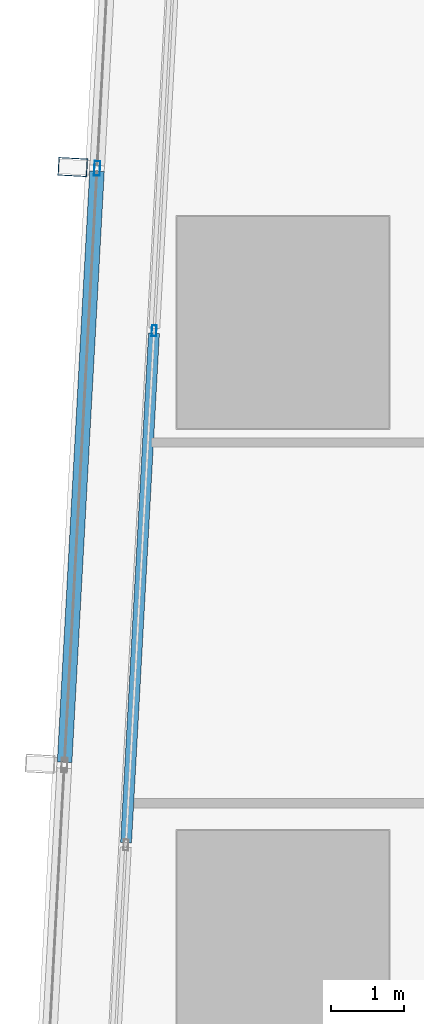
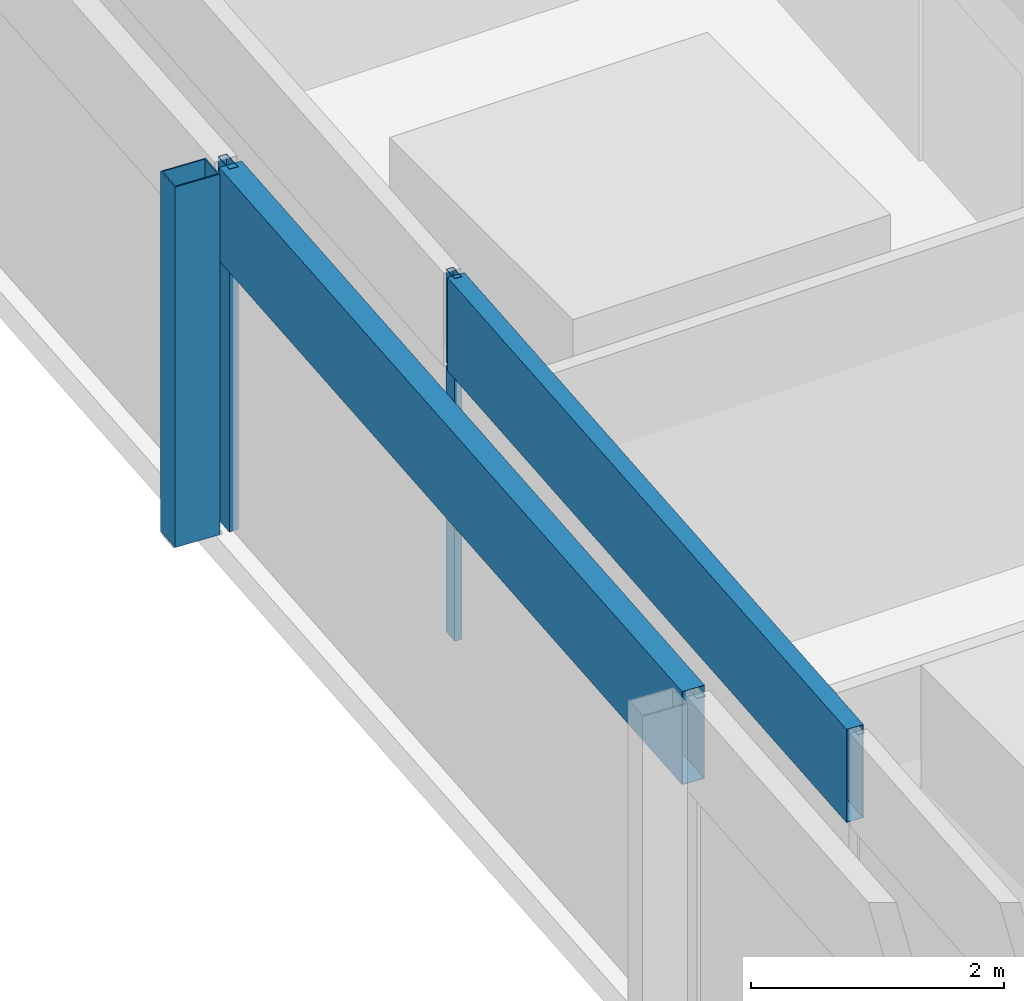
# One storey, part 7 of 40: 5 members, 2 elements without a shape of their own.
"""IFC4 building model written with IfcOpenShell, lengths in metres."""

from ifc_helpers import new_model, si_unit, direction, frame, origin, origin_2d, place, context, subcontext, project, spatial, hollow_rectangle, extrude, material, material_profile, profile_set, type_object, element, aggregate, save


model = new_model("IFC4")

# Units and contexts
model_context = context("Model", 3, precision=1e-05, world=origin(), true_north=direction((0.0, 1.0)))
body_context = subcontext(model_context, "Body", "Model", "MODEL_VIEW")
ifc_project = project(units=[si_unit("LENGTHUNIT", "METRE"), si_unit("AREAUNIT", "SQUARE_METRE"), si_unit("VOLUMEUNIT", "CUBIC_METRE"), si_unit("PLANEANGLEUNIT", "RADIAN"), si_unit("MASSUNIT", "GRAM", prefix="KILO")], contexts=[model_context])

# Site, building, storey
site_placement = place(None, origin())
site = spatial("IfcSite", under=ifc_project, at=site_placement, CompositionType="ELEMENT")
building_placement = place(site_placement, origin())
building = spatial("IfcBuilding", under=site, at=building_placement, Name="Rekha Terrace Tower", CompositionType="ELEMENT")
storey_placement = place(building_placement, frame((0.0, 0.0, 95.300048828125)))
storey = spatial("IfcBuildingStorey", under=building, at=storey_placement, Name="L23", CompositionType="ELEMENT", Elevation=95.300048828125)

# Curtain wall, member
ifc_material_1 = material(Name="Aluminium framing", Category="aluminium")
curtain_wall_type_1 = type_object("IfcCurtainWallType", Name="CW2 double skin outer glazing", PredefinedType="USERDEFINED", material=ifc_material_1)
curtain_wall_1_placement = place(storey_placement, origin())
curtain_wall_1 = element("IfcCurtainWall", 1, at=curtain_wall_1_placement, inside=storey, type_object=curtain_wall_type_1, Name="CW2 double skin outer glazing", ObjectType="DOUBLE SKIN OUTER GLAZING", PredefinedType="USERDEFINED")
ifc_material_2 = material(Name="Steel S355 with fluorocarbon finish", Category="steel")
ifc_material_profile_1 = material_profile(ifc_material_2, hollow_rectangle(XDim=0.25, YDim=0.39990234375, WallThickness=0.012451171875, at=origin_2d()), Name="RHS400x250x12.5")
ifc_profile_set_1 = profile_set([ifc_material_profile_1], Name="Steel S355 with fluorocarbon finish")
member_type_1 = type_object("IfcMemberType", Name="BL1 facade blade RHS 400 x 250", PredefinedType="USERDEFINED", material=ifc_profile_set_1)
member_1_placement = place(storey_placement, frame((5.521728515625, 44.128662109375, 0.02001953125), z_axis=(0.0, 0.0, 1.0), x_axis=(-0.054742798353, -0.998500488747, 0.0)))
member_1 = element("IfcMember", 2, at=member_1_placement, type_object=member_type_1, Name="Facade blade", ObjectType="FACADE BLADE", PredefinedType="USERDEFINED", context=body_context, shape_type="SweptSolid", body=[
    extrude(hollow_rectangle(XDim=0.25, YDim=0.39990234375, WallThickness=0.012451171875, at=origin_2d()), origin(), (0.0, 0.0, 1.0), 3.47998046875),
])

# Curtain wall, members
curtain_wall_type_2 = type_object("IfcCurtainWallType", Name="CW1 double skin inner glazing", PredefinedType="USERDEFINED", material=ifc_material_1)
curtain_wall_2_placement = place(storey_placement, origin())
curtain_wall_2 = element("IfcCurtainWall", 3, at=curtain_wall_2_placement, inside=storey, type_object=curtain_wall_type_2, Name="CW1 double skin inner glazing", ObjectType="DOUBLE SKIN INNER GLAZING", PredefinedType="USERDEFINED")
ifc_material_3 = material(Name="Aluminium mullion section", Category="aluminium")
ifc_material_profile_2 = material_profile(ifc_material_3, hollow_rectangle(XDim=0.06494140625, YDim=0.14990234375, WallThickness=0.00390625, at=origin_2d()), Name="AL RHS 65x150")
ifc_profile_set_2 = profile_set([ifc_material_profile_2], Name="Aluminium mullion section")
member_type_2 = type_object("IfcMemberType", Name="CW1 mullion RHS 65 x 150", PredefinedType="MULLION", material=ifc_profile_set_2)
member_2_placement = place(storey_placement, frame((6.6357421875, 41.888427734375, 0.0), z_axis=(0.0, 0.0, 1.0), x_axis=(0.998500513182, -0.054742352672, 0.0)))
member_2 = element("IfcMember", 4, at=member_2_placement, type_object=member_type_2, Name="CW1 mullion 2", PredefinedType="MULLION", context=body_context, shape_type="SweptSolid", body=[
    extrude(hollow_rectangle(XDim=0.06494140625, YDim=0.14990234375, WallThickness=0.00390625, at=origin_2d()), origin(), (0.0, 0.0, 1.0), 3.5),
])
ifc_material_4 = material(Name="Insulated aluminium spandrel box", Category="aluminium")
ifc_material_profile_3 = material_profile(ifc_material_4, hollow_rectangle(XDim=0.14990234375, YDim=0.89990234375, WallThickness=0.0029296875, at=origin_2d()), Name="AL SPANDREL BOX 150x900")
ifc_profile_set_3 = profile_set([ifc_material_profile_3], Name="Insulated aluminium spandrel box")
member_type_3 = type_object("IfcMemberType", Name="CW1 spandrel transom 150 x 900", PredefinedType="USERDEFINED", material=ifc_profile_set_3)
member_3_placement = place(storey_placement, frame((6.634033203125, 41.85595703125, 3.050048828125), z_axis=(-0.054749690951, -0.998500110837, 0.0), x_axis=(0.998500110837, -0.054749690951, 0.0)))
member_3 = element("IfcMember", 5, at=member_3_placement, type_object=member_type_3, Name="CW1 spandrel transom 2", ObjectType="TRANSOM", PredefinedType="USERDEFINED", context=body_context, shape_type="SweptSolid", body=[
    extrude(hollow_rectangle(XDim=0.14990234375, YDim=0.89990234375, WallThickness=0.0029296875, at=origin_2d()), origin(), (0.0, 0.0, 1.0), 6.983154296875),
])
aggregate(curtain_wall_2, [member_2, member_3])

# Member
ifc_material_profile_4 = material_profile(ifc_material_3, hollow_rectangle(XDim=0.080078125, YDim=0.199951171875, WallThickness=0.00390625, at=origin_2d()), Name="AL RHS 80x200")
ifc_profile_set_4 = profile_set([ifc_material_profile_4], Name="Aluminium mullion section")
member_type_4 = type_object("IfcMemberType", Name="CW2 mullion RHS 80 x 200", PredefinedType="MULLION", material=ifc_profile_set_4)
member_4_placement = place(storey_placement, frame((5.856201171875, 44.1103515625, 0.0), z_axis=(0.0, 0.0, 1.0), x_axis=(0.99850051318, -0.054742352707, 0.0)))
member_4 = element("IfcMember", 6, at=member_4_placement, type_object=member_type_4, Name="CW2 mullion 3", PredefinedType="MULLION", context=body_context, shape_type="SweptSolid", body=[
    extrude(hollow_rectangle(XDim=0.080078125, YDim=0.199951171875, WallThickness=0.00390625, at=origin_2d()), origin(), (0.0, 0.0, 1.0), 3.5),
])

ifc_material_profile_5 = material_profile(ifc_material_4, hollow_rectangle(XDim=0.199951171875, YDim=0.89990234375, WallThickness=0.0029296875, at=origin_2d()), Name="AL SPANDREL BOX 200x900")
ifc_profile_set_5 = profile_set([ifc_material_profile_5], Name="Insulated aluminium spandrel box")
member_type_5 = type_object("IfcMemberType", Name="CW2 spandrel transom 200 x 900", PredefinedType="USERDEFINED", material=ifc_profile_set_5)
member_5_placement = place(storey_placement, frame((5.85400390625, 44.070556640625, 3.050048828125), z_axis=(-0.054735499102, -0.998500888902, 0.0), x_axis=(0.998500888902, -0.054735499102, 0.0)))
member_5 = element("IfcMember", 7, at=member_5_placement, type_object=member_type_5, Name="CW2 spandrel transom 3", ObjectType="TRANSOM", PredefinedType="USERDEFINED", context=body_context, shape_type="SweptSolid", body=[
    extrude(hollow_rectangle(XDim=0.199951171875, YDim=0.89990234375, WallThickness=0.0029296875, at=origin_2d()), origin(), (0.0, 0.0, 1.0), 8.10009765625),
])

aggregate(curtain_wall_1, [member_4, member_5, member_1])

save(model, "model.ifc")
